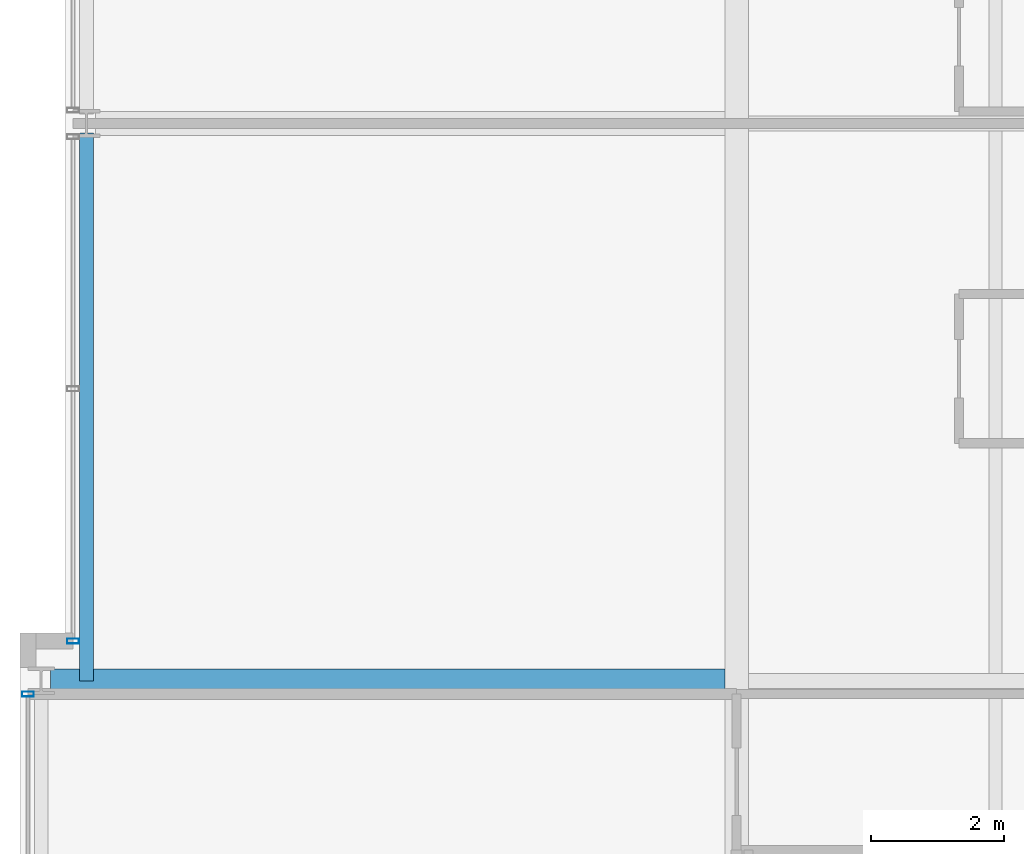
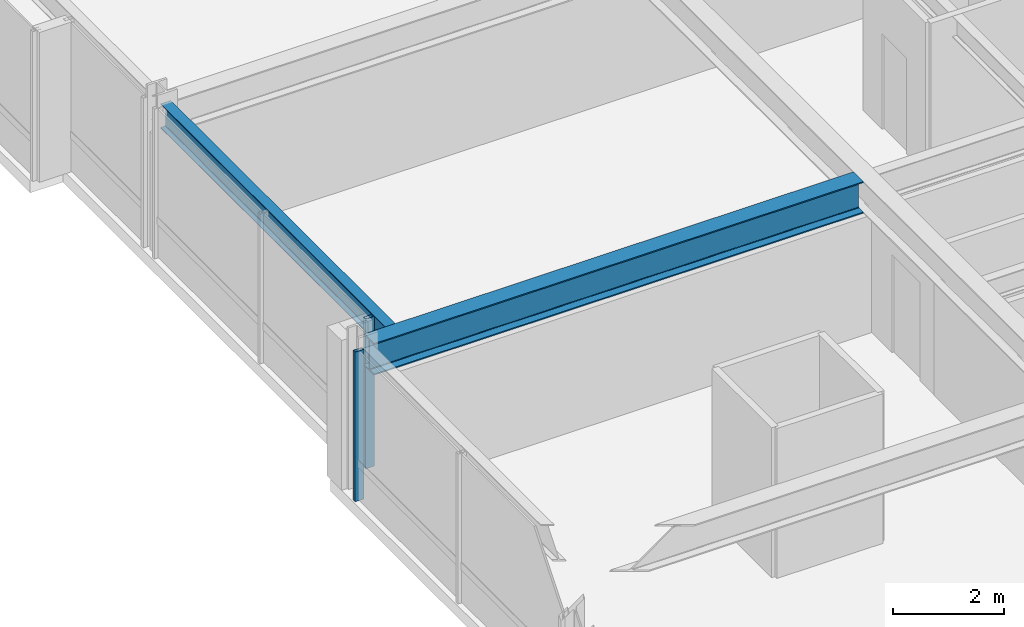
# One storey, part 7 of 32: 2 beams, 2 members, 2 elements without a shape of their own.
"""IFC4 building model written with IfcOpenShell, lengths in metres."""

from ifc_helpers import new_model, si_unit, direction, frame, origin, origin_2d, place, context, subcontext, project, spatial, hollow_rectangle, i_section, extrude, material, layer, layer_set, material_profile, profile_set, type_object, element, aggregate, save


model = new_model("IFC4")

# Units and contexts
model_context = context("Model", 3, precision=1e-05, world=origin(), true_north=direction((0.0, 1.0)))
body_context = subcontext(model_context, "Body", "Model", "MODEL_VIEW")
ifc_project = project(units=[si_unit("LENGTHUNIT", "METRE"), si_unit("AREAUNIT", "SQUARE_METRE"), si_unit("VOLUMEUNIT", "CUBIC_METRE"), si_unit("PLANEANGLEUNIT", "RADIAN"), si_unit("MASSUNIT", "GRAM", prefix="KILO")], contexts=[model_context])

# Site, building, storey
site_placement = place(None, origin())
site = spatial("IfcSite", under=ifc_project, at=site_placement, CompositionType="ELEMENT")
building_placement = place(site_placement, origin())
building = spatial("IfcBuilding", under=site, at=building_placement, Name="Drelvath Grand Hotel", CompositionType="ELEMENT")
storey_placement = place(building_placement, frame((0.0, 0.0, 150.39990234375)))
storey = spatial("IfcBuildingStorey", under=building, at=storey_placement, Name="L38", CompositionType="ELEMENT", Elevation=150.39990234375)

# Curtain wall, member
ifc_material_1 = material(Name="Brushed Pale-Silver Anodised Aluminium Frame", Category="aluminium")
ifc_layer = layer(ifc_material_1, 0.199951171875)
ifc_layer_set = layer_set([ifc_layer], Name="Brushed Pale-Silver Anodised Aluminium Frame")
curtain_wall_type = type_object("IfcCurtainWallType", Name="Stick Curtain Wall CW-04 Brushed Silver Upper-Mid", PredefinedType="NOTDEFINED", material=ifc_layer_set)
curtain_wall_1_placement = place(storey_placement, origin())
curtain_wall_1 = element("IfcCurtainWall", 1, at=curtain_wall_1_placement, inside=storey, type_object=curtain_wall_type, Name="L38 CW-04 Curtain Wall CW04-L38-WS2", PredefinedType="NOTDEFINED")
ifc_material_profile_1 = material_profile(ifc_material_1, hollow_rectangle(XDim=0.074951171875, YDim=0.179931640625, WallThickness=0.0048828125, at=origin_2d()), Name="HSS180X75X5")
ifc_profile_set_1 = profile_set([ifc_material_profile_1], Name="Brushed Pale-Silver Anodised Aluminium Frame")
member_type = type_object("IfcMemberType", Name="Curtain Wall Vertical Mullion CW-04 HSS180X75X5", PredefinedType="MULLION", material=ifc_profile_set_1)
member_1_placement = place(storey_placement, frame((-26.8798828125, 18.39990234375, 0.0), z_axis=(0.0, 0.0, 1.0), x_axis=(0.0, 1.0, 0.0)))
member_1 = element("IfcMember", 2, at=member_1_placement, type_object=member_type, Name="CW04-L38-WS2 Mullion 3", PredefinedType="MULLION", context=body_context, shape_type="SweptSolid", body=[
    extrude(hollow_rectangle(XDim=0.074951171875, YDim=0.179931640625, WallThickness=0.0048828125, at=origin_2d()), origin(), (0.0, 0.0, 1.0), 3.2900390625),
])
aggregate(curtain_wall_1, [member_1])

curtain_wall_2_placement = place(storey_placement, origin())
curtain_wall_2 = element("IfcCurtainWall", 3, at=curtain_wall_2_placement, inside=storey, type_object=curtain_wall_type, Name="L38 CW-04 Curtain Wall CW04-L38-WM1", PredefinedType="NOTDEFINED")
member_2_placement = place(storey_placement, frame((-26.199951171875, 19.199951171875, 0.0), z_axis=(0.0, 0.0, 1.0), x_axis=(0.0, 1.0, 0.0)))
member_2 = element("IfcMember", 4, at=member_2_placement, type_object=member_type, Name="CW04-L38-WM1 Mullion 1", PredefinedType="MULLION", context=body_context, shape_type="SweptSolid", body=[
    extrude(hollow_rectangle(XDim=0.074951171875, YDim=0.179931640625, WallThickness=0.0048828125, at=origin_2d()), origin(), (0.0, 0.0, 1.0), 3.2900390625),
])
aggregate(curtain_wall_2, [member_2])

# Beams
ifc_material_2 = material(Name="Steel ASTM A992 Gr 50", Category="steel")
ifc_material_profile_2 = material_profile(ifc_material_2, i_section(OverallWidth=0.210205078125, OverallDepth=0.53662109375, WebThickness=0.010986328125, FlangeThickness=0.017333984375, FilletRadius=0.01806640625, at=origin_2d()), Name="W21X68")
ifc_profile_set_2 = profile_set([ifc_material_profile_2], Name="Steel ASTM A992 Gr 50")
beam_type_1 = type_object("IfcBeamType", Name="Perimeter Spandrel Beam W21X68", PredefinedType="SPANDREL", material=ifc_profile_set_2)
beam_1_placement = place(storey_placement, frame((-26.0, 18.60009765625, 3.021728515625), z_axis=(0.0, 1.0, 0.0), x_axis=(-1.0, 0.0, 0.0)))
element("IfcBeam", 5, at=beam_1_placement, inside=storey, type_object=beam_type_1, Name="L38 Spandrel West Mid S", PredefinedType="SPANDREL", context=body_context, shape_type="SweptSolid", body=[
    extrude(i_section(OverallWidth=0.210205078125, OverallDepth=0.53662109375, WebThickness=0.010986328125, FlangeThickness=0.017333984375, FilletRadius=0.01806640625, at=origin_2d()), origin(), (0.0, 0.0, 1.0), 8.260009765625),
])
ifc_material_profile_3 = material_profile(ifc_material_2, i_section(OverallWidth=0.354736328125, OverallDepth=0.695556640625, WebThickness=0.015380859375, FlangeThickness=0.025146484375, FilletRadius=0.02392578125, at=origin_2d()), Name="W27X146")
ifc_profile_set_3 = profile_set([ifc_material_profile_3], Name="Steel ASTM A992 Gr 50")
beam_type_2 = type_object("IfcBeamType", Name="Primary Floor Girder W27X146", PredefinedType="BEAM", material=ifc_profile_set_3)
beam_2_placement = place(storey_placement, frame((-26.5400390625, 18.60009765625, 2.9423828125), z_axis=(1.0, 0.0, 0.0), x_axis=(0.0, 1.0, 0.0)))
element("IfcBeam", 6, at=beam_2_placement, inside=storey, type_object=beam_type_2, Name="L38 West Wing Girder D", PredefinedType="BEAM", context=body_context, shape_type="SweptSolid", body=[
    extrude(i_section(OverallWidth=0.354736328125, OverallDepth=0.695556640625, WebThickness=0.015380859375, FlangeThickness=0.025146484375, FilletRadius=0.02392578125, at=origin_2d()), origin(), (0.0, 0.0, 1.0), 10.16259765625),
])

save(model, "model.ifc")
